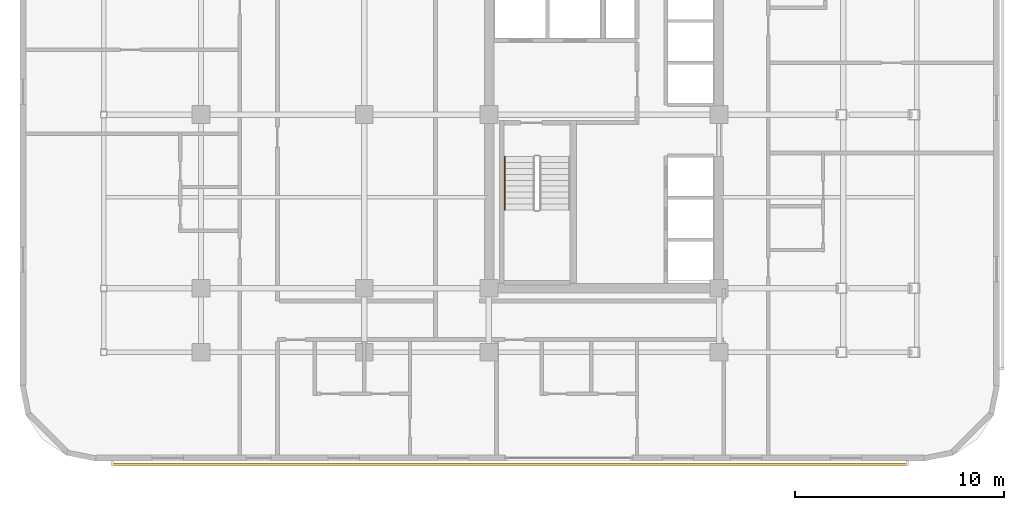
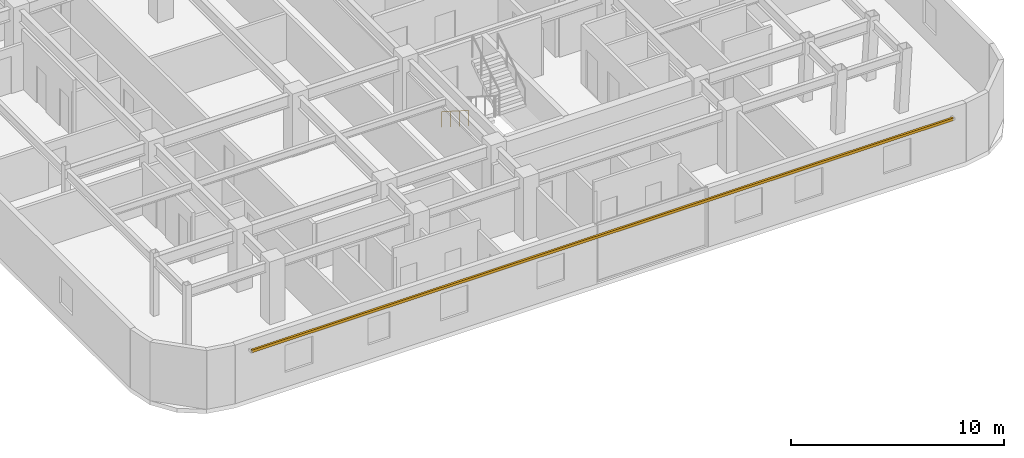
# One storey, part 13 of 15: 1 railing, 1 shading device.
"""IFC4 building model written with IfcOpenShell, lengths in metres."""

import ifcopenshell
import ifcopenshell.guid

model = None  # the IFC model being written
_history = None  # IfcOwnerHistory: only IFC2X3 demands one
_inside = {}  # id of a spatial element -> (the spatial element, [elements in it])
_under = {}  # id of a project, library or spatial element -> (it, [spatial elements below it])
_declared = {}  # id of a project -> (the project, [libraries it declares])
_typed = {}  # id of a type object -> (the type object, [elements of that type])
_made_of = {}  # id of a material, layer set ... -> (it, [elements and type objects made of it])


def new_model(schema):
    """Start an empty IFC model of exactly this schema.

    Asked for "IFC4X3", IfcOpenShell would pick the latest addendum, in which some entities
    have other attributes; the version numbers below select the first issue.
    IFC2X3 requires an IfcOwnerHistory on every rooted entity: one is made here for all.
    """
    global model, _history
    if schema == "IFC4X3":
        model = ifcopenshell.file(schema_version=(4, 3, 0, 0))
    else:
        model = ifcopenshell.file(schema=schema)
    _inside.clear()
    _under.clear()
    _declared.clear()
    _typed.clear()
    _made_of.clear()
    _history = None
    if model.schema == "IFC2X3":
        org = make("IfcOrganization", Name="unknown")
        user = make(
            "IfcPersonAndOrganization",
            ThePerson=make("IfcPerson", FamilyName="unknown"),
            TheOrganization=org,
        )
        app = make(
            "IfcApplication",
            ApplicationDeveloper=org,
            Version="unknown",
            ApplicationFullName="unknown",
            ApplicationIdentifier="unknown",
        )
        _history = make(
            "IfcOwnerHistory",
            OwningUser=user,
            OwningApplication=app,
            ChangeAction="ADDED",
            CreationDate=0,
        )
    return model


def make(cls, **values):
    """One entity of the class cls with the attributes given. An attribute that is None is left unset."""
    return model.create_entity(
        cls, **{name: value for name, value in values.items() if value is not None}
    )


def rooted(cls, **values):
    """An entity with a GlobalId (a new one), such as an element, a storey or a relation."""
    return make(cls, GlobalId=ifcopenshell.guid.new(), OwnerHistory=_history, **values)


def si_unit(unit_type, name, prefix=None):
    """IfcSIUnit, for example si_unit("LENGTHUNIT", "METRE", prefix="MILLI")."""
    return make("IfcSIUnit", UnitType=unit_type, Prefix=prefix, Name=name)


def assignment(units):
    """IfcUnitAssignment: the units of a project."""
    return None if units is None else make("IfcUnitAssignment", Units=units)


def point(xyz):
    """IfcCartesianPoint."""
    return None if xyz is None else make("IfcCartesianPoint", Coordinates=xyz)


def direction(xyz):
    """IfcDirection."""
    return None if xyz is None else make("IfcDirection", DirectionRatios=xyz)


def frame(location, z_axis=None, x_axis=None):
    """IfcAxis2Placement3D, a coordinate frame: its origin and axes. An axis left out is left unset."""
    return make(
        "IfcAxis2Placement3D",
        Location=point(location),
        Axis=direction(z_axis),
        RefDirection=direction(x_axis),
    )


def frame_2d(location, x_axis=None):
    """IfcAxis2Placement2D, a coordinate frame in the plane: its origin and x axis."""
    return make(
        "IfcAxis2Placement2D", Location=point(location), RefDirection=direction(x_axis)
    )


def origin():
    """The frame at (0, 0, 0) with its axes left unset."""
    return frame((0.0, 0.0, 0.0))


def origin_2d():
    """The frame at (0, 0) in the plane with its x axis left unset."""
    return frame_2d((0.0, 0.0))


def place(relative_to, where):
    """IfcLocalPlacement: puts the frame where relative to a parent placement (None: the world)."""
    return make(
        "IfcLocalPlacement", PlacementRelTo=relative_to, RelativePlacement=where
    )


def context(
    kind, dimensions, precision=None, world=None, true_north=None, identifier=None
):
    """IfcGeometricRepresentationContext, for example the 3D "Model" context."""
    return make(
        "IfcGeometricRepresentationContext",
        ContextIdentifier=identifier,
        ContextType=kind,
        CoordinateSpaceDimension=dimensions,
        Precision=precision,
        WorldCoordinateSystem=world,
        TrueNorth=true_north,
    )


def subcontext(parent, identifier, kind, view, scale=None):
    """IfcGeometricRepresentationSubContext, for example "Body" below "Model"."""
    return make(
        "IfcGeometricRepresentationSubContext",
        ContextIdentifier=identifier,
        ContextType=kind,
        ParentContext=parent,
        TargetScale=scale,
        TargetView=view,
    )


def project(units=None, contexts=None):
    """IfcProject with its units and contexts."""
    return rooted(
        "IfcProject",
        Name="project",
        RepresentationContexts=contexts,
        UnitsInContext=assignment(units),
    )


def spatial(cls, under=None, at=None, **own):
    """A site, building, storey or space (cls), placed at a placement, below another one or the project."""
    s = rooted(cls, ObjectPlacement=at, **own)
    if under is not None:
        _under.setdefault(under.id(), (under, []))[1].append(s)
    return s


def profile(cls, at=None, kind="AREA", **sizes):
    """A parametric profile (cls). Its sizes go by their IFC names, for example OverallWidth=200.0."""
    return make(cls, ProfileType=kind, Position=at, **sizes)


def rectangle(**sizes):
    """IfcRectangleProfileDef."""
    return profile("IfcRectangleProfileDef", **sizes)


def circle(**sizes):
    """IfcCircleProfileDef."""
    return profile("IfcCircleProfileDef", **sizes)


def extrude(swept, where, along, depth):
    """IfcExtrudedAreaSolid: the profile swept, set in the frame where, extruded along a direction by depth."""
    return make(
        "IfcExtrudedAreaSolid",
        SweptArea=swept,
        Position=where,
        ExtrudedDirection=direction(along),
        Depth=depth,
    )


def shape(context_of_items, identifier, shape_type, items):
    """IfcShapeRepresentation: the items that make up one representation, for example the "Body"."""
    return make(
        "IfcShapeRepresentation",
        ContextOfItems=context_of_items,
        RepresentationIdentifier=identifier,
        RepresentationType=shape_type,
        Items=items,
    )


def material(Name=None, Category=None):
    """IfcMaterial."""
    return make("IfcMaterial", Name=Name, Category=Category)


def material_profile(
    of_material, cross_section, Name=None, Category=None, Priority=None
):
    """IfcMaterialProfile: a cross section and its material."""
    return make(
        "IfcMaterialProfile",
        Name=Name,
        Material=of_material,
        Profile=cross_section,
        Priority=Priority,
        Category=Category,
    )


def profile_set(profiles, Name=None, composite=None):
    """IfcMaterialProfileSet."""
    return make(
        "IfcMaterialProfileSet",
        Name=Name,
        MaterialProfiles=profiles,
        CompositeProfile=composite,
    )


def made_of(thing, what):
    """Note that an element or type object is made of a material, layer set ...; save() writes the relation."""
    if what is not None:
        _made_of.setdefault(what.id(), (what, []))[1].append(thing)
    return thing


def type_object(cls, material=None, **own):
    """A type object (cls), such as IfcWallType, which elements share."""
    return made_of(rooted(cls, **own), material)


def element(
    cls,
    number,
    at=None,
    inside=None,
    cuts=None,
    type_object=None,
    material=None,
    context=None,
    identifier="Body",
    shape_type=None,
    held_by="IfcProductDefinitionShape",
    body=None,
    shapes=None,
    **own,
):
    """One element of the class cls, such as IfcWall. Its Tag is "e" and its number.

    at: its placement. inside: the storey or other place that contains it. cuts: it is an
    opening in that element (IfcRelVoidsElement). A single representation is given by context,
    identifier, shape_type and body (its items); several are given by shapes. held_by: the class
    of the entity that holds the representations. save() writes the other relations.
    """
    e = rooted(cls, Tag="e%d" % number, ObjectPlacement=at, **own)
    if body is not None:
        shapes = [shape(context, identifier, shape_type, body)]
    if shapes is not None:
        e.Representation = make(held_by, Representations=shapes)
    if inside is not None:
        _inside.setdefault(inside.id(), (inside, []))[1].append(e)
    if cuts is not None:
        rooted(
            "IfcRelVoidsElement", RelatingBuildingElement=cuts, RelatedOpeningElement=e
        )
    if type_object is not None:
        _typed.setdefault(type_object.id(), (type_object, []))[1].append(e)
    return made_of(e, material)


def aggregate(whole, parts):
    """IfcRelAggregates: a whole, such as a stair, and the parts it consists of."""
    return rooted("IfcRelAggregates", RelatingObject=whole, RelatedObjects=parts)


def save(model, path):
    """Write the relations noted so far, then the file.

    IfcRelAggregates (storeys below a building ...), IfcRelContainedInSpatialStructure (elements
    in a storey), IfcRelDefinesByType, IfcRelAssociatesMaterial and IfcRelDeclares: one each for
    every whole, place, type object, material and project.
    """
    for whole, parts in _under.values():
        aggregate(whole, parts)
    for where, things in _inside.values():
        rooted(
            "IfcRelContainedInSpatialStructure",
            RelatedElements=things,
            RelatingStructure=where,
        )
    for kind, things in _typed.values():
        rooted("IfcRelDefinesByType", RelatedObjects=things, RelatingType=kind)
    for what, things in _made_of.values():
        rooted("IfcRelAssociatesMaterial", RelatedObjects=things, RelatingMaterial=what)
    for by, libraries in _declared.values():
        rooted("IfcRelDeclares", RelatingContext=by, RelatedDefinitions=libraries)
    model.write(path)


model = new_model("IFC4")

# Units and contexts
model_context = context("Model", 3, precision=1e-05, world=origin(), true_north=direction((0.0, 1.0)))
body_context = subcontext(model_context, "Body", "Model", "MODEL_VIEW")
ifc_project = project(units=[si_unit("LENGTHUNIT", "METRE"), si_unit("AREAUNIT", "SQUARE_METRE"), si_unit("VOLUMEUNIT", "CUBIC_METRE"), si_unit("PLANEANGLEUNIT", "RADIAN"), si_unit("MASSUNIT", "GRAM", prefix="KILO")], contexts=[model_context])

# Site, building, storey
site_placement = place(None, origin())
site = spatial("IfcSite", under=ifc_project, at=site_placement, CompositionType="ELEMENT")
building_placement = place(site_placement, origin())
building = spatial("IfcBuilding", under=site, at=building_placement, Name="Ochreholt Gables", CompositionType="ELEMENT")
storey_placement = place(building_placement, frame((0.0, 0.0, 31.199951171875)))
storey = spatial("IfcBuildingStorey", under=building, at=storey_placement, Name="L07", CompositionType="ELEMENT", Elevation=31.199951171875)

# Railing
ifc_material_1 = material(Name="Brushed Stainless Steel Wall Handrail", Category="steel")
railing_type = type_object("IfcRailingType", Name="RL-ST-HAND", PredefinedType="HANDRAIL", material=ifc_material_1)
railing_placement = place(storey_placement, frame((24.969970703125, 15.5400390625, 0.179931640625)))
element("IfcRailing", 1, at=railing_placement, inside=storey, type_object=railing_type, Name="L07 ST-1 stair handrail 1", PredefinedType="HANDRAIL", context=body_context, shape_type="SweptSolid", body=[
    extrude(circle(Radius=0.02392578125, at=origin_2d()), frame((0.0, 0.0, 0.8759765625), z_axis=(0.0, -0.842912820907, 0.538050161556), x_axis=(1.0, 0.0, 0.0)), (0.0, 0.0, 1.0), 3.010986328125),
    extrude(circle(Radius=0.02099609375, at=origin_2d()), origin(), (0.0, 0.0, 1.0), 0.851806640625),
    extrude(circle(Radius=0.02099609375, at=origin_2d()), frame((0.0, -0.845947265625, 0.5400390625)), (0.0, 0.0, 1.0), 0.851806640625),
    extrude(circle(Radius=0.02099609375, at=origin_2d()), frame((0.0, -1.692138671875, 1.080078125)), (0.0, 0.0, 1.0), 0.851806640625),
    extrude(circle(Radius=0.02099609375, at=origin_2d()), frame((0.0, -2.5380859375, 1.6201171875)), (0.0, 0.0, 1.0), 0.851806640625),
])

# Shading device
ifc_material_2 = material(Name="Warm Ochre Glazed Terracotta Baguette", Category="masonry")
ifc_material_profile = material_profile(ifc_material_2, rectangle(XDim=0.110107421875, YDim=0.14990234375, at=origin_2d()), Name="TCBAG110X150")
ifc_profile_set = profile_set([ifc_material_profile], Name="Warm Ochre Glazed Terracotta Baguette")
shading_device_type = type_object("IfcShadingDeviceType", Name="SHD-BAGUETTE", PredefinedType="USERDEFINED", material=ifc_profile_set)
shading_device_placement = place(storey_placement, frame((6.199951171875, 0.85009765625, 2.840087890625), z_axis=(1.0, 0.0, 0.0), x_axis=(0.0, 1.0, 0.0)))
element("IfcShadingDevice", 2, at=shading_device_placement, inside=storey, type_object=shading_device_type, Name="L07 Terracotta Baguette Screen S-1", ObjectType="BAGUETTE", PredefinedType="USERDEFINED", context=body_context, shape_type="SweptSolid", body=[
    extrude(rectangle(XDim=0.110107421875, YDim=0.14990234375, at=origin_2d()), origin(), (0.0, 0.0, 1.0), 38.0),
])

save(model, "model.ifc")
